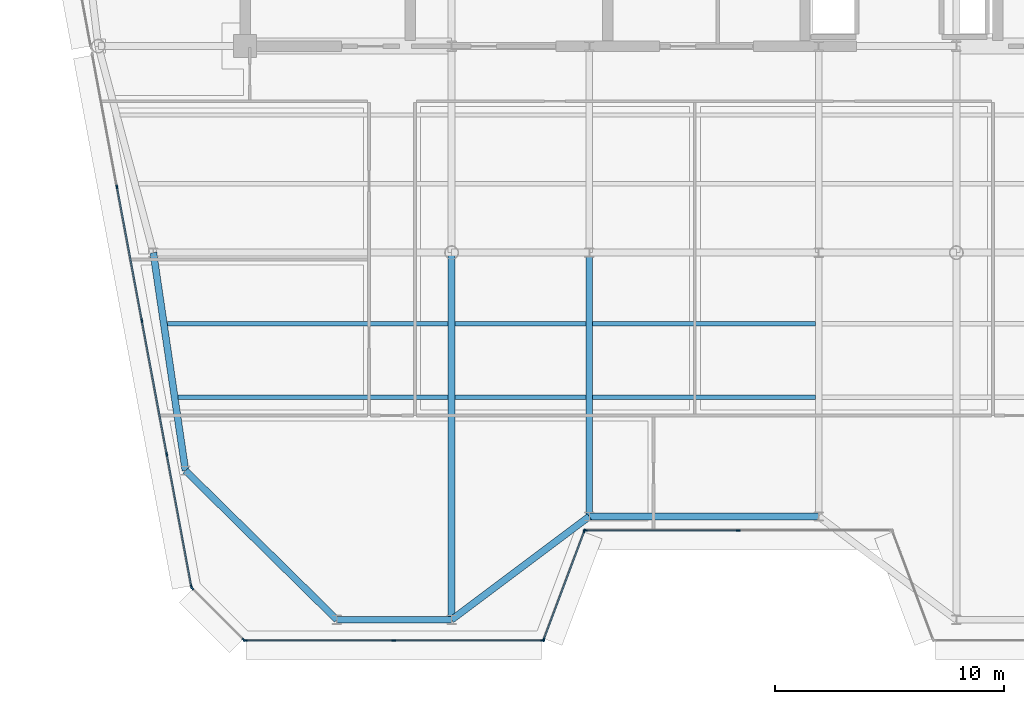
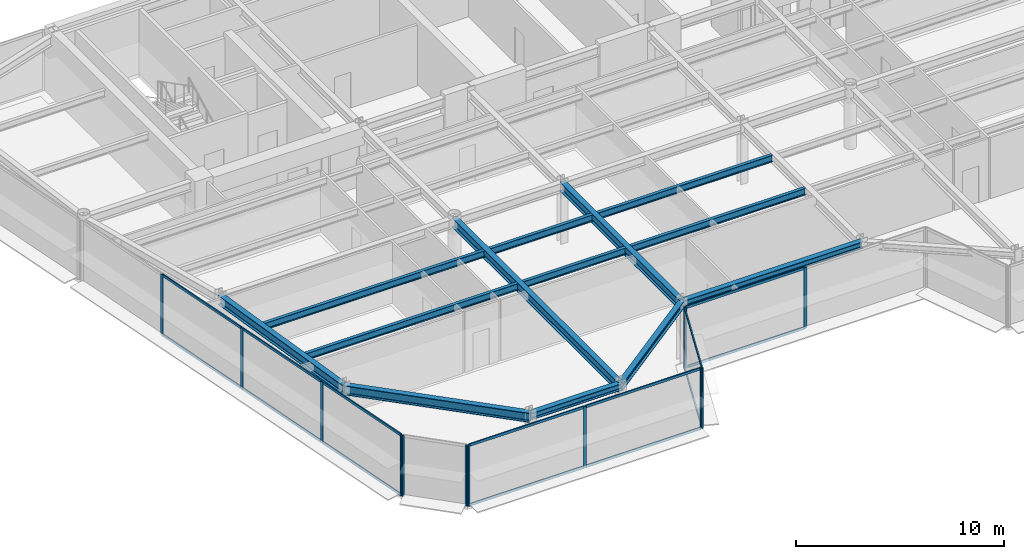
# One storey, part 3 of 19: 27 members, 13 beams, 5 elements without a shape of their own.
"""IFC4 building model written with IfcOpenShell, lengths in metres."""

import ifcopenshell
import ifcopenshell.guid

model = None  # the IFC model being written
_history = None  # IfcOwnerHistory: only IFC2X3 demands one
_inside = {}  # id of a spatial element -> (the spatial element, [elements in it])
_under = {}  # id of a project, library or spatial element -> (it, [spatial elements below it])
_declared = {}  # id of a project -> (the project, [libraries it declares])
_typed = {}  # id of a type object -> (the type object, [elements of that type])
_made_of = {}  # id of a material, layer set ... -> (it, [elements and type objects made of it])


def new_model(schema):
    """Start an empty IFC model of exactly this schema.

    Asked for "IFC4X3", IfcOpenShell would pick the latest addendum, in which some entities
    have other attributes; the version numbers below select the first issue.
    IFC2X3 requires an IfcOwnerHistory on every rooted entity: one is made here for all.
    """
    global model, _history
    if schema == "IFC4X3":
        model = ifcopenshell.file(schema_version=(4, 3, 0, 0))
    else:
        model = ifcopenshell.file(schema=schema)
    _inside.clear()
    _under.clear()
    _declared.clear()
    _typed.clear()
    _made_of.clear()
    _history = None
    if model.schema == "IFC2X3":
        org = make("IfcOrganization", Name="unknown")
        user = make(
            "IfcPersonAndOrganization",
            ThePerson=make("IfcPerson", FamilyName="unknown"),
            TheOrganization=org,
        )
        app = make(
            "IfcApplication",
            ApplicationDeveloper=org,
            Version="unknown",
            ApplicationFullName="unknown",
            ApplicationIdentifier="unknown",
        )
        _history = make(
            "IfcOwnerHistory",
            OwningUser=user,
            OwningApplication=app,
            ChangeAction="ADDED",
            CreationDate=0,
        )
    return model


def make(cls, **values):
    """One entity of the class cls with the attributes given. An attribute that is None is left unset."""
    return model.create_entity(
        cls, **{name: value for name, value in values.items() if value is not None}
    )


def rooted(cls, **values):
    """An entity with a GlobalId (a new one), such as an element, a storey or a relation."""
    return make(cls, GlobalId=ifcopenshell.guid.new(), OwnerHistory=_history, **values)


def si_unit(unit_type, name, prefix=None):
    """IfcSIUnit, for example si_unit("LENGTHUNIT", "METRE", prefix="MILLI")."""
    return make("IfcSIUnit", UnitType=unit_type, Prefix=prefix, Name=name)


def assignment(units):
    """IfcUnitAssignment: the units of a project."""
    return None if units is None else make("IfcUnitAssignment", Units=units)


def point(xyz):
    """IfcCartesianPoint."""
    return None if xyz is None else make("IfcCartesianPoint", Coordinates=xyz)


def direction(xyz):
    """IfcDirection."""
    return None if xyz is None else make("IfcDirection", DirectionRatios=xyz)


def frame(location, z_axis=None, x_axis=None):
    """IfcAxis2Placement3D, a coordinate frame: its origin and axes. An axis left out is left unset."""
    return make(
        "IfcAxis2Placement3D",
        Location=point(location),
        Axis=direction(z_axis),
        RefDirection=direction(x_axis),
    )


def frame_2d(location, x_axis=None):
    """IfcAxis2Placement2D, a coordinate frame in the plane: its origin and x axis."""
    return make(
        "IfcAxis2Placement2D", Location=point(location), RefDirection=direction(x_axis)
    )


def origin():
    """The frame at (0, 0, 0) with its axes left unset."""
    return frame((0.0, 0.0, 0.0))


def origin_2d():
    """The frame at (0, 0) in the plane with its x axis left unset."""
    return frame_2d((0.0, 0.0))


def place(relative_to, where):
    """IfcLocalPlacement: puts the frame where relative to a parent placement (None: the world)."""
    return make(
        "IfcLocalPlacement", PlacementRelTo=relative_to, RelativePlacement=where
    )


def context(
    kind, dimensions, precision=None, world=None, true_north=None, identifier=None
):
    """IfcGeometricRepresentationContext, for example the 3D "Model" context."""
    return make(
        "IfcGeometricRepresentationContext",
        ContextIdentifier=identifier,
        ContextType=kind,
        CoordinateSpaceDimension=dimensions,
        Precision=precision,
        WorldCoordinateSystem=world,
        TrueNorth=true_north,
    )


def subcontext(parent, identifier, kind, view, scale=None):
    """IfcGeometricRepresentationSubContext, for example "Body" below "Model"."""
    return make(
        "IfcGeometricRepresentationSubContext",
        ContextIdentifier=identifier,
        ContextType=kind,
        ParentContext=parent,
        TargetScale=scale,
        TargetView=view,
    )


def project(units=None, contexts=None):
    """IfcProject with its units and contexts."""
    return rooted(
        "IfcProject",
        Name="project",
        RepresentationContexts=contexts,
        UnitsInContext=assignment(units),
    )


def spatial(cls, under=None, at=None, **own):
    """A site, building, storey or space (cls), placed at a placement, below another one or the project."""
    s = rooted(cls, ObjectPlacement=at, **own)
    if under is not None:
        _under.setdefault(under.id(), (under, []))[1].append(s)
    return s


def profile(cls, at=None, kind="AREA", **sizes):
    """A parametric profile (cls). Its sizes go by their IFC names, for example OverallWidth=200.0."""
    return make(cls, ProfileType=kind, Position=at, **sizes)


def rectangle(**sizes):
    """IfcRectangleProfileDef."""
    return profile("IfcRectangleProfileDef", **sizes)


def i_section(**sizes):
    """IfcIShapeProfileDef."""
    return profile("IfcIShapeProfileDef", **sizes)


def extrude(swept, where, along, depth):
    """IfcExtrudedAreaSolid: the profile swept, set in the frame where, extruded along a direction by depth."""
    return make(
        "IfcExtrudedAreaSolid",
        SweptArea=swept,
        Position=where,
        ExtrudedDirection=direction(along),
        Depth=depth,
    )


def shape(context_of_items, identifier, shape_type, items):
    """IfcShapeRepresentation: the items that make up one representation, for example the "Body"."""
    return make(
        "IfcShapeRepresentation",
        ContextOfItems=context_of_items,
        RepresentationIdentifier=identifier,
        RepresentationType=shape_type,
        Items=items,
    )


def source(mapping_origin, context_of_items, identifier, shape_type, items):
    """IfcRepresentationMap: a shape defined once, which mapped items show again and again."""
    return make(
        "IfcRepresentationMap",
        MappingOrigin=mapping_origin,
        MappedRepresentation=shape(context_of_items, identifier, shape_type, items),
    )


def transform(
    local_origin,
    x_axis=None,
    y_axis=None,
    z_axis=None,
    scale=None,
    scale2=None,
    scale3=None,
    uniform=True,
):
    """IfcCartesianTransformationOperator3D, or its non-uniform kind. x_axis, y_axis, z_axis: its Axis1, 2, 3."""
    if uniform:
        return make(
            "IfcCartesianTransformationOperator3D",
            Axis1=direction(x_axis),
            Axis2=direction(y_axis),
            LocalOrigin=point(local_origin),
            Scale=scale,
            Axis3=direction(z_axis),
        )
    return make(
        "IfcCartesianTransformationOperator3DnonUniform",
        Axis1=direction(x_axis),
        Axis2=direction(y_axis),
        LocalOrigin=point(local_origin),
        Scale=scale,
        Axis3=direction(z_axis),
        Scale2=scale2,
        Scale3=scale3,
    )


def mapped(mapping_source, mapping_target):
    """IfcMappedItem: shows the shape of a source again, moved by a transform."""
    return make(
        "IfcMappedItem", MappingSource=mapping_source, MappingTarget=mapping_target
    )


def material(Name=None, Category=None):
    """IfcMaterial."""
    return make("IfcMaterial", Name=Name, Category=Category)


def layer(
    of_material, thickness, ventilated=None, Name=None, Category=None, Priority=None
):
    """IfcMaterialLayer: one layer of a wall or slab, of a material (None: an air gap)."""
    return make(
        "IfcMaterialLayer",
        Material=of_material,
        LayerThickness=thickness,
        IsVentilated=ventilated,
        Name=Name,
        Category=Category,
        Priority=Priority,
    )


def layer_set(layers, Name=None):
    """IfcMaterialLayerSet."""
    return make("IfcMaterialLayerSet", MaterialLayers=layers, LayerSetName=Name)


def material_profile(
    of_material, cross_section, Name=None, Category=None, Priority=None
):
    """IfcMaterialProfile: a cross section and its material."""
    return make(
        "IfcMaterialProfile",
        Name=Name,
        Material=of_material,
        Profile=cross_section,
        Priority=Priority,
        Category=Category,
    )


def profile_set(profiles, Name=None, composite=None):
    """IfcMaterialProfileSet."""
    return make(
        "IfcMaterialProfileSet",
        Name=Name,
        MaterialProfiles=profiles,
        CompositeProfile=composite,
    )


def made_of(thing, what):
    """Note that an element or type object is made of a material, layer set ...; save() writes the relation."""
    if what is not None:
        _made_of.setdefault(what.id(), (what, []))[1].append(thing)
    return thing


def type_object(cls, material=None, **own):
    """A type object (cls), such as IfcWallType, which elements share."""
    return made_of(rooted(cls, **own), material)


def element(
    cls,
    number,
    at=None,
    inside=None,
    cuts=None,
    type_object=None,
    material=None,
    context=None,
    identifier="Body",
    shape_type=None,
    held_by="IfcProductDefinitionShape",
    body=None,
    shapes=None,
    **own,
):
    """One element of the class cls, such as IfcWall. Its Tag is "e" and its number.

    at: its placement. inside: the storey or other place that contains it. cuts: it is an
    opening in that element (IfcRelVoidsElement). A single representation is given by context,
    identifier, shape_type and body (its items); several are given by shapes. held_by: the class
    of the entity that holds the representations. save() writes the other relations.
    """
    e = rooted(cls, Tag="e%d" % number, ObjectPlacement=at, **own)
    if body is not None:
        shapes = [shape(context, identifier, shape_type, body)]
    if shapes is not None:
        e.Representation = make(held_by, Representations=shapes)
    if inside is not None:
        _inside.setdefault(inside.id(), (inside, []))[1].append(e)
    if cuts is not None:
        rooted(
            "IfcRelVoidsElement", RelatingBuildingElement=cuts, RelatedOpeningElement=e
        )
    if type_object is not None:
        _typed.setdefault(type_object.id(), (type_object, []))[1].append(e)
    return made_of(e, material)


def aggregate(whole, parts):
    """IfcRelAggregates: a whole, such as a stair, and the parts it consists of."""
    return rooted("IfcRelAggregates", RelatingObject=whole, RelatedObjects=parts)


def save(model, path):
    """Write the relations noted so far, then the file.

    IfcRelAggregates (storeys below a building ...), IfcRelContainedInSpatialStructure (elements
    in a storey), IfcRelDefinesByType, IfcRelAssociatesMaterial and IfcRelDeclares: one each for
    every whole, place, type object, material and project.
    """
    for whole, parts in _under.values():
        aggregate(whole, parts)
    for where, things in _inside.values():
        rooted(
            "IfcRelContainedInSpatialStructure",
            RelatedElements=things,
            RelatingStructure=where,
        )
    for kind, things in _typed.values():
        rooted("IfcRelDefinesByType", RelatedObjects=things, RelatingType=kind)
    for what, things in _made_of.values():
        rooted("IfcRelAssociatesMaterial", RelatedObjects=things, RelatingMaterial=what)
    for by, libraries in _declared.values():
        rooted("IfcRelDeclares", RelatingContext=by, RelatedDefinitions=libraries)
    model.write(path)


model = new_model("IFC4")

# Units and contexts
model_context = context("Model", 3, precision=1e-05, world=origin(), true_north=direction((0.0, 1.0)))
body_context = subcontext(model_context, "Body", "Model", "MODEL_VIEW")
ifc_project = project(units=[si_unit("LENGTHUNIT", "METRE"), si_unit("AREAUNIT", "SQUARE_METRE"), si_unit("VOLUMEUNIT", "CUBIC_METRE"), si_unit("PLANEANGLEUNIT", "RADIAN"), si_unit("MASSUNIT", "GRAM", prefix="KILO")], contexts=[model_context])

# Site, building, storey
site_placement = place(None, origin())
site = spatial("IfcSite", under=ifc_project, at=site_placement, CompositionType="ELEMENT")
building_placement = place(site_placement, origin())
building = spatial("IfcBuilding", under=site, at=building_placement, Name="Vaeldorn Concourse Tower", CompositionType="ELEMENT")
storey_placement = place(building_placement, frame((0.0, 0.0, 249.800048828125)))
storey = spatial("IfcBuildingStorey", under=building, at=storey_placement, Name="L64", CompositionType="ELEMENT", Elevation=249.800048828125)

# Beams
ifc_material_1 = material(Name="Steel S355", Category="steel")
ifc_material_profile_1 = material_profile(ifc_material_1, i_section(OverallWidth=0.300048828125, OverallDepth=0.39990234375, WebThickness=0.013427734375, FlangeThickness=0.02392578125, FilletRadius=0.027099609375, at=origin_2d()), Name="HEB 400")
ifc_profile_set_1 = profile_set([ifc_material_profile_1], Name="Steel S355")
beam_type_1 = type_object("IfcBeamType", Name="BM-SP-HEB400", PredefinedType="SPANDREL", material=ifc_profile_set_1)
shared_shape_1 = source(origin(), body_context, "Body", "SweptSolid", [
    extrude(i_section(OverallWidth=0.300048828125, OverallDepth=0.39990234375, WebThickness=0.013427734375, FlangeThickness=0.02392578125, FilletRadius=0.027099609375, at=origin_2d()), origin(), (0.0, 0.0, 1.0), 5.0),
])
beam_1_placement = place(storey_placement, frame((18.0, 11.5, 3.3798828125), z_axis=(1.0, 0.0, 0.0), x_axis=(0.0, 1.0, 0.0)))
element("IfcBeam", 1, at=beam_1_placement, inside=storey, type_object=beam_type_1, Name="Beam BM-L64-C-SF1-C-SF2", PredefinedType="SPANDREL", context=body_context, shape_type="MappedRepresentation", body=[
    mapped(shared_shape_1, transform((0.0, 0.0, 0.0), scale=1.0)),
])
shared_shape_2 = source(origin(), body_context, "Body", "SweptSolid", [
    extrude(i_section(OverallWidth=0.300048828125, OverallDepth=0.39990234375, WebThickness=0.013427734375, FlangeThickness=0.02392578125, FilletRadius=0.027099609375, at=origin_2d()), origin(), (0.0, 0.0, 1.0), 7.5),
])
beam_2_placement = place(storey_placement, frame((23.0, 11.5, 3.3798828125), z_axis=(0.8, 0.6, 0.0), x_axis=(-0.6, 0.8, 0.0)))
element("IfcBeam", 2, at=beam_2_placement, inside=storey, type_object=beam_type_1, Name="Beam BM-L64-C-SF2-C-SF3", PredefinedType="SPANDREL", context=body_context, shape_type="MappedRepresentation", body=[
    mapped(shared_shape_2, transform((0.0, 0.0, 0.0), scale=1.0)),
])
shared_shape_3 = source(origin(), body_context, "Body", "SweptSolid", [
    extrude(i_section(OverallWidth=0.300048828125, OverallDepth=0.39990234375, WebThickness=0.013427734375, FlangeThickness=0.02392578125, FilletRadius=0.027099609375, at=origin_2d()), origin(), (0.0, 0.0, 1.0), 10.0),
])
beam_3_placement = place(storey_placement, frame((29.0, 16.0, 3.3798828125), z_axis=(1.0, 0.0, 0.0), x_axis=(0.0, 1.0, 0.0)))
element("IfcBeam", 3, at=beam_3_placement, inside=storey, type_object=beam_type_1, Name="Beam BM-L64-C-SF3-C-SF4", PredefinedType="SPANDREL", context=body_context, shape_type="MappedRepresentation", body=[
    mapped(shared_shape_3, transform((0.0, 0.0, 0.0), scale=1.0)),
])
ifc_material_profile_2 = material_profile(ifc_material_1, i_section(OverallWidth=0.179931640625, OverallDepth=0.39990234375, WebThickness=0.008544921875, FlangeThickness=0.013427734375, FilletRadius=0.02099609375, at=origin_2d()), Name="IPE 400")
ifc_profile_set_2 = profile_set([ifc_material_profile_2], Name="Steel S355")
beam_type_2 = type_object("IfcBeamType", Name="BM-JS-IPE400", PredefinedType="JOIST", material=ifc_profile_set_2)
shared_shape_4 = source(origin(), body_context, "Body", "SweptSolid", [
    extrude(i_section(OverallWidth=0.179931640625, OverallDepth=0.39990234375, WebThickness=0.008544921875, FlangeThickness=0.013427734375, FilletRadius=0.02099609375, at=origin_2d()), origin(), (0.0, 0.0, 1.0), 5.7001953125),
])
for number, where, z_axis, x_axis, name in (
    (4, (23.14990234375, 21.199951171875, 3.3798828125), (1.0, 0.0, 0.0), (0.0, 1.0, 0.0), "Beam JS-L64-W2-212"),
    (5, (23.14990234375, 24.39990234375, 3.3798828125), (1.0, 0.0, 0.0), (0.0, 1.0, 0.0), "Beam JS-L64-W2-244"),
):
    element("IfcBeam", number, at=place(storey_placement, frame(where, z_axis=z_axis, x_axis=x_axis)), inside=storey, type_object=beam_type_2, Name=name, PredefinedType="JOIST", context=body_context, shape_type="MappedRepresentation", body=[
        mapped(shared_shape_4, transform((0.0, 0.0, 0.0), scale=1.0)),
    ])
shared_shape_5 = source(origin(), body_context, "Body", "SweptSolid", [
    extrude(i_section(OverallWidth=0.179931640625, OverallDepth=0.39990234375, WebThickness=0.008544921875, FlangeThickness=0.013427734375, FilletRadius=0.02099609375, at=origin_2d()), origin(), (0.0, 0.0, 1.0), 9.7001953125),
])
for number, where, z_axis, x_axis, name in (
    (6, (29.14990234375, 21.199951171875, 3.3798828125), (1.0, 0.0, 0.0), (0.0, 1.0, 0.0), "Beam JS-L64-C-212"),
    (7, (29.14990234375, 24.39990234375, 3.3798828125), (1.0, 0.0, 0.0), (0.0, 1.0, 0.0), "Beam JS-L64-C-244"),
):
    element("IfcBeam", number, at=place(storey_placement, frame(where, z_axis=z_axis, x_axis=x_axis)), inside=storey, type_object=beam_type_2, Name=name, PredefinedType="JOIST", context=body_context, shape_type="MappedRepresentation", body=[
        mapped(shared_shape_5, transform((0.0, 0.0, 0.0), scale=1.0)),
    ])
shared_shape_6 = source(origin(), body_context, "Body", "SweptSolid", [
    extrude(i_section(OverallWidth=0.179931640625, OverallDepth=0.39990234375, WebThickness=0.008544921875, FlangeThickness=0.013427734375, FilletRadius=0.02099609375, at=origin_2d()), origin(), (0.0, 0.0, 1.0), 11.771728515625),
])
beam_4_placement = place(storey_placement, frame((11.078369140625, 21.199951171875, 3.3798828125), z_axis=(1.0, 0.0, 0.0), x_axis=(0.0, 1.0, 0.0)))
element("IfcBeam", 8, at=beam_4_placement, inside=storey, type_object=beam_type_2, Name="Beam JS-L64-W1-212", PredefinedType="JOIST", context=body_context, shape_type="MappedRepresentation", body=[
    mapped(shared_shape_6, transform((0.0, 0.0, 0.0), scale=1.0)),
])
shared_shape_7 = source(origin(), body_context, "Body", "SweptSolid", [
    extrude(i_section(OverallWidth=0.179931640625, OverallDepth=0.39990234375, WebThickness=0.008544921875, FlangeThickness=0.013427734375, FilletRadius=0.02099609375, at=origin_2d()), origin(), (0.0, 0.0, 1.0), 12.243408203125),
])
beam_5_placement = place(storey_placement, frame((10.606689453125, 24.39990234375, 3.3798828125), z_axis=(1.0, 0.0, 0.0), x_axis=(0.0, 1.0, 0.0)))
element("IfcBeam", 9, at=beam_5_placement, inside=storey, type_object=beam_type_2, Name="Beam JS-L64-W1-244", PredefinedType="JOIST", context=body_context, shape_type="MappedRepresentation", body=[
    mapped(shared_shape_7, transform((0.0, 0.0, 0.0), scale=1.0)),
])
ifc_material_profile_3 = material_profile(ifc_material_1, i_section(OverallWidth=0.300048828125, OverallDepth=0.550048828125, WebThickness=0.014892578125, FlangeThickness=0.029052734375, FilletRadius=0.027099609375, at=origin_2d()), Name="HEB 550")
ifc_profile_set_3 = profile_set([ifc_material_profile_3], Name="Steel S355")
beam_type_3 = type_object("IfcBeamType", Name="BM-PG-HEB550", PredefinedType="BEAM", material=ifc_profile_set_3)
shared_shape_8 = source(origin(), body_context, "Body", "SweptSolid", [
    extrude(i_section(OverallWidth=0.300048828125, OverallDepth=0.550048828125, WebThickness=0.014892578125, FlangeThickness=0.029052734375, FilletRadius=0.027099609375, at=origin_2d()), origin(), (0.0, 0.0, 1.0), 9.6025390625),
])
beam_6_placement = place(storey_placement, frame((10.0, 27.5, 3.304931640625), z_axis=(0.145783835977, -0.989316467652, 0.0), x_axis=(0.989316467652, 0.145783835977, 0.0)))
element("IfcBeam", 10, at=beam_6_placement, inside=storey, type_object=beam_type_3, Name="Beam BM-L64-C-FLW1-C-FLW2", PredefinedType="BEAM", context=body_context, shape_type="MappedRepresentation", body=[
    mapped(shared_shape_8, transform((0.0, 0.0, 0.0), scale=1.0)),
])
shared_shape_9 = source(origin(), body_context, "Body", "SweptSolid", [
    extrude(i_section(OverallWidth=0.300048828125, OverallDepth=0.550048828125, WebThickness=0.014892578125, FlangeThickness=0.029052734375, FilletRadius=0.027099609375, at=origin_2d()), origin(), (0.0, 0.0, 1.0), 9.263427734375),
])
beam_7_placement = place(storey_placement, frame((18.0, 11.5, 3.304931640625), z_axis=(-0.71248897494, 0.701683305053, 0.0), x_axis=(-0.701683305053, -0.71248897494, 0.0)))
element("IfcBeam", 11, at=beam_7_placement, inside=storey, type_object=beam_type_3, Name="Beam BM-L64-C-SF1-C-FLW2", PredefinedType="BEAM", context=body_context, shape_type="MappedRepresentation", body=[
    mapped(shared_shape_9, transform((0.0, 0.0, 0.0), scale=1.0)),
])
shared_shape_10 = source(origin(), body_context, "Body", "SweptSolid", [
    extrude(i_section(OverallWidth=0.300048828125, OverallDepth=0.550048828125, WebThickness=0.014892578125, FlangeThickness=0.029052734375, FilletRadius=0.027099609375, at=origin_2d()), origin(), (0.0, 0.0, 1.0), 16.0),
])
beam_8_placement = place(storey_placement, frame((23.0, 11.5, 3.304931640625), z_axis=(0.0, 1.0, 0.0), x_axis=(-1.0, 0.0, 0.0)))
element("IfcBeam", 12, at=beam_8_placement, inside=storey, type_object=beam_type_3, Name="Beam BM-L64-C-SF2-C-TW1", PredefinedType="BEAM", context=body_context, shape_type="MappedRepresentation", body=[
    mapped(shared_shape_10, transform((0.0, 0.0, 0.0), scale=1.0)),
])
shared_shape_11 = source(origin(), body_context, "Body", "SweptSolid", [
    extrude(i_section(OverallWidth=0.300048828125, OverallDepth=0.550048828125, WebThickness=0.014892578125, FlangeThickness=0.029052734375, FilletRadius=0.027099609375, at=origin_2d()), origin(), (0.0, 0.0, 1.0), 11.5),
])
beam_9_placement = place(storey_placement, frame((29.0, 16.0, 3.304931640625), z_axis=(0.0, 1.0, 0.0), x_axis=(-1.0, 0.0, 0.0)))
element("IfcBeam", 13, at=beam_9_placement, inside=storey, type_object=beam_type_3, Name="Beam BM-L64-C-SF3-C-TW2", PredefinedType="BEAM", context=body_context, shape_type="MappedRepresentation", body=[
    mapped(shared_shape_11, transform((0.0, 0.0, 0.0), scale=1.0)),
])

# Curtain wall, members
ifc_material_2 = material(Name="Anodised Bronze Aluminium", Category="aluminium")
ifc_layer = layer(ifc_material_2, 0.179931640625)
ifc_layer_set = layer_set([ifc_layer], Name="Anodised Bronze Aluminium")
curtain_wall_type = type_object("IfcCurtainWallType", Name="CW-SYS-05", PredefinedType="NOTDEFINED", material=ifc_layer_set)
curtain_wall_1_placement = place(storey_placement, origin())
curtain_wall_1 = element("IfcCurtainWall", 14, at=curtain_wall_1_placement, inside=storey, type_object=curtain_wall_type, Name="Unitised Curtain Wall CW-L64-E01-1", PredefinedType="NOTDEFINED")
ifc_material_profile_4 = material_profile(ifc_material_2, rectangle(XDim=0.06494140625, YDim=0.169921875, at=origin_2d()), Name="CWM 65x170")
ifc_profile_set_4 = profile_set([ifc_material_profile_4], Name="Anodised Bronze Aluminium")
member_type_1 = type_object("IfcMemberType", Name="CWM-BRONZE-170", PredefinedType="MULLION", material=ifc_profile_set_4)
shared_shape_12 = source(origin(), body_context, "Body", "SweptSolid", [
    extrude(rectangle(XDim=0.06494140625, YDim=0.169921875, at=origin_2d()), origin(), (0.0, 0.0, 1.0), 3.579833984375),
])
member_1_placement = place(storey_placement, frame((13.99853515625, 10.60009765625, 0.0), z_axis=(0.0, 0.0, 1.0), x_axis=(0.0, 1.0, 0.0)))
member_1 = element("IfcMember", 15, at=member_1_placement, type_object=member_type_1, Name="CW-05 mullion 1", PredefinedType="MULLION", context=body_context, shape_type="MappedRepresentation", body=[
    mapped(shared_shape_12, transform((0.0, 0.0, 0.0), scale=1.0)),
])
member_2_placement = place(storey_placement, frame((20.48291015625, 10.60009765625, 0.0), z_axis=(0.0, 0.0, 1.0), x_axis=(0.0, 1.0, 0.0)))
member_2 = element("IfcMember", 16, at=member_2_placement, type_object=member_type_1, Name="CW-05 mullion 2", PredefinedType="MULLION", context=body_context, shape_type="MappedRepresentation", body=[
    mapped(shared_shape_12, transform((0.0, 0.0, 0.0), scale=1.0)),
])
member_3_placement = place(storey_placement, frame((26.967529296875, 10.60009765625, 0.0), z_axis=(0.0, 0.0, 1.0), x_axis=(0.0, 1.0, 0.0)))
member_3 = element("IfcMember", 17, at=member_3_placement, type_object=member_type_1, Name="CW-05 mullion 3", PredefinedType="MULLION", context=body_context, shape_type="MappedRepresentation", body=[
    mapped(shared_shape_12, transform((0.0, 0.0, 0.0), scale=1.0)),
])

curtain_wall_2_placement = place(storey_placement, origin())
curtain_wall_2 = element("IfcCurtainWall", 18, at=curtain_wall_2_placement, inside=storey, type_object=curtain_wall_type, Name="Unitised Curtain Wall CW-L64-E02-1", PredefinedType="NOTDEFINED")
member_4_placement = place(storey_placement, frame((27.011474609375, 10.63037109375, 0.0), z_axis=(0.0, 0.0, 1.0), x_axis=(-0.936329177566, 0.351123441595, 0.0)))
member_4 = element("IfcMember", 19, at=member_4_placement, type_object=member_type_1, Name="CW-05 mullion 1", PredefinedType="MULLION", context=body_context, shape_type="MappedRepresentation", body=[
    mapped(shared_shape_12, transform((0.0, 0.0, 0.0), scale=1.0)),
])
member_5_placement = place(storey_placement, frame((28.78857421875, 15.36962890625, 0.0), z_axis=(0.0, 0.0, 1.0), x_axis=(-0.936329177566, 0.351123441595, 0.0)))
member_5 = element("IfcMember", 20, at=member_5_placement, type_object=member_type_1, Name="CW-05 mullion 2", PredefinedType="MULLION", context=body_context, shape_type="MappedRepresentation", body=[
    mapped(shared_shape_12, transform((0.0, 0.0, 0.0), scale=1.0)),
])

curtain_wall_3_placement = place(storey_placement, origin())
curtain_wall_3 = element("IfcCurtainWall", 21, at=curtain_wall_3_placement, inside=storey, type_object=curtain_wall_type, Name="Unitised Curtain Wall CW-L64-E03-1", PredefinedType="NOTDEFINED")
member_6_placement = place(storey_placement, frame((28.83251953125, 15.39990234375, 0.0), z_axis=(0.0, 0.0, 1.0), x_axis=(0.0, 1.0, 0.0)))
member_6 = element("IfcMember", 22, at=member_6_placement, type_object=member_type_1, Name="CW-05 mullion 1", PredefinedType="MULLION", context=body_context, shape_type="MappedRepresentation", body=[
    mapped(shared_shape_12, transform((0.0, 0.0, 0.0), scale=1.0)),
])
member_7_placement = place(storey_placement, frame((35.5, 15.39990234375, 0.0), z_axis=(0.0, 0.0, 1.0), x_axis=(0.0, 1.0, 0.0)))
member_7 = element("IfcMember", 23, at=member_7_placement, type_object=member_type_1, Name="CW-05 mullion 2", PredefinedType="MULLION", context=body_context, shape_type="MappedRepresentation", body=[
    mapped(shared_shape_12, transform((0.0, 0.0, 0.0), scale=1.0)),
])

curtain_wall_4_placement = place(storey_placement, origin())
curtain_wall_4 = element("IfcCurtainWall", 24, at=curtain_wall_4_placement, inside=storey, type_object=curtain_wall_type, Name="Unitised Curtain Wall CW-L64-E11-2", PredefinedType="NOTDEFINED")
member_8_placement = place(storey_placement, frame((8.414306640625, 30.36376953125, 0.0), z_axis=(0.0, 0.0, 1.0), x_axis=(0.983102653673, 0.18305510739, 0.0)))
member_8 = element("IfcMember", 25, at=member_8_placement, type_object=member_type_1, Name="CW-05 mullion 2", PredefinedType="MULLION", context=body_context, shape_type="MappedRepresentation", body=[
    mapped(shared_shape_12, transform((0.0, 0.0, 0.0), scale=1.0)),
])
member_9_placement = place(storey_placement, frame((9.498046875, 24.54248046875, 0.0), z_axis=(0.0, 0.0, 1.0), x_axis=(0.983102653673, 0.18305510739, 0.0)))
member_9 = element("IfcMember", 26, at=member_9_placement, type_object=member_type_1, Name="CW-05 mullion 3", PredefinedType="MULLION", context=body_context, shape_type="MappedRepresentation", body=[
    mapped(shared_shape_12, transform((0.0, 0.0, 0.0), scale=1.0)),
])
member_10_placement = place(storey_placement, frame((10.58203125, 18.72119140625, 0.0), z_axis=(0.0, 0.0, 1.0), x_axis=(0.983102653673, 0.18305510739, 0.0)))
member_10 = element("IfcMember", 27, at=member_10_placement, type_object=member_type_1, Name="CW-05 mullion 4", PredefinedType="MULLION", context=body_context, shape_type="MappedRepresentation", body=[
    mapped(shared_shape_12, transform((0.0, 0.0, 0.0), scale=1.0)),
])
member_11_placement = place(storey_placement, frame((11.66015625, 12.931884765625, 0.0), z_axis=(0.0, 0.0, 1.0), x_axis=(0.983102653673, 0.18305510739, 0.0)))
member_11 = element("IfcMember", 28, at=member_11_placement, type_object=member_type_1, Name="CW-05 mullion 5", PredefinedType="MULLION", context=body_context, shape_type="MappedRepresentation", body=[
    mapped(shared_shape_12, transform((0.0, 0.0, 0.0), scale=1.0)),
])

curtain_wall_5_placement = place(storey_placement, origin())
curtain_wall_5 = element("IfcCurtainWall", 29, at=curtain_wall_5_placement, inside=storey, type_object=curtain_wall_type, Name="Unitised Curtain Wall CW-L64-E12-1", PredefinedType="NOTDEFINED")
member_12_placement = place(storey_placement, frame((11.68896484375, 12.876953125, 0.0), z_axis=(0.0, 0.0, 1.0), x_axis=(0.707106781187, 0.707106781187, 0.0)))
member_12 = element("IfcMember", 30, at=member_12_placement, type_object=member_type_1, Name="CW-05 mullion 1", PredefinedType="MULLION", context=body_context, shape_type="MappedRepresentation", body=[
    mapped(shared_shape_12, transform((0.0, 0.0, 0.0), scale=1.0)),
])
member_13_placement = place(storey_placement, frame((13.943115234375, 10.623046875, 0.0), z_axis=(0.0, 0.0, 1.0), x_axis=(0.707106781187, 0.707106781187, 0.0)))
member_13 = element("IfcMember", 31, at=member_13_placement, type_object=member_type_1, Name="CW-05 mullion 2", PredefinedType="MULLION", context=body_context, shape_type="MappedRepresentation", body=[
    mapped(shared_shape_12, transform((0.0, 0.0, 0.0), scale=1.0)),
])
aggregate(curtain_wall_5, [member_12, member_13])

# Member
ifc_material_profile_5 = material_profile(ifc_material_2, rectangle(XDim=0.06494140625, YDim=0.14990234375, at=origin_2d()), Name="CWT 65x150")
ifc_profile_set_5 = profile_set([ifc_material_profile_5], Name="Anodised Bronze Aluminium")
member_type_2 = type_object("IfcMemberType", Name="CWT-BRONZE-150", PredefinedType="USERDEFINED", material=ifc_profile_set_5)
shared_shape_13 = source(origin(), body_context, "Body", "SweptSolid", [
    extrude(rectangle(XDim=0.06494140625, YDim=0.14990234375, at=origin_2d()), origin(), (0.0, 0.0, 1.0), 4.996337890625),
])
member_14_placement = place(storey_placement, frame((27.022705078125, 10.660888671875, 0.032470703125), z_axis=(0.351134151405, 0.936325161318, 0.0), x_axis=(-0.936325161318, 0.351134151405, 0.0)))
member_14 = element("IfcMember", 32, at=member_14_placement, type_object=member_type_2, Name="CW-05 transom 1.1", ObjectType="TRANSOM", PredefinedType="USERDEFINED", context=body_context, shape_type="MappedRepresentation", body=[
    mapped(shared_shape_13, transform((0.0, 0.0, 0.0), scale=1.0)),
])

member_15_placement = place(storey_placement, frame((27.022705078125, 10.660888671875, 3.54736328125), z_axis=(0.351134151405, 0.936325161318, 0.0), x_axis=(-0.936325161318, 0.351134151405, 0.0)))
member_15 = element("IfcMember", 33, at=member_15_placement, type_object=member_type_2, Name="CW-05 transom 1.2", ObjectType="TRANSOM", PredefinedType="USERDEFINED", context=body_context, shape_type="MappedRepresentation", body=[
    mapped(shared_shape_13, transform((0.0, 0.0, 0.0), scale=1.0)),
])

aggregate(curtain_wall_2, [member_4, member_5, member_14, member_15])

shared_shape_14 = source(origin(), body_context, "Body", "SweptSolid", [
    extrude(rectangle(XDim=0.06494140625, YDim=0.14990234375, at=origin_2d()), origin(), (0.0, 0.0, 1.0), 6.6025390625),
])
member_16_placement = place(storey_placement, frame((28.864990234375, 15.39990234375, 0.032470703125), z_axis=(1.0, 0.0, 0.0), x_axis=(0.0, 1.0, 0.0)))
member_16 = element("IfcMember", 34, at=member_16_placement, type_object=member_type_2, Name="CW-05 transom 1.1", ObjectType="TRANSOM", PredefinedType="USERDEFINED", context=body_context, shape_type="MappedRepresentation", body=[
    mapped(shared_shape_14, transform((0.0, 0.0, 0.0), scale=1.0)),
])

member_17_placement = place(storey_placement, frame((28.864990234375, 15.39990234375, 3.54736328125), z_axis=(1.0, 0.0, 0.0), x_axis=(0.0, 1.0, 0.0)))
member_17 = element("IfcMember", 35, at=member_17_placement, type_object=member_type_2, Name="CW-05 transom 1.2", ObjectType="TRANSOM", PredefinedType="USERDEFINED", context=body_context, shape_type="MappedRepresentation", body=[
    mapped(shared_shape_14, transform((0.0, 0.0, 0.0), scale=1.0)),
])

aggregate(curtain_wall_3, [member_6, member_7, member_16, member_17])

shared_shape_15 = source(origin(), body_context, "Body", "SweptSolid", [
    extrude(rectangle(XDim=0.06494140625, YDim=0.14990234375, at=origin_2d()), origin(), (0.0, 0.0, 1.0), 5.82373046875),
])
member_18_placement = place(storey_placement, frame((10.588134765625, 18.689208984375, 0.032470703125), z_axis=(0.183030414843, -0.983107251139, 0.0), x_axis=(0.983107251139, 0.183030414843, 0.0)))
member_18 = element("IfcMember", 36, at=member_18_placement, type_object=member_type_2, Name="CW-05 transom 4.1", ObjectType="TRANSOM", PredefinedType="USERDEFINED", context=body_context, shape_type="MappedRepresentation", body=[
    mapped(shared_shape_15, transform((0.0, 0.0, 0.0), scale=1.0)),
])

member_19_placement = place(storey_placement, frame((10.588134765625, 18.689208984375, 3.54736328125), z_axis=(0.183030414843, -0.983107251139, 0.0), x_axis=(0.983107251139, 0.183030414843, 0.0)))
member_19 = element("IfcMember", 37, at=member_19_placement, type_object=member_type_2, Name="CW-05 transom 4.2", ObjectType="TRANSOM", PredefinedType="USERDEFINED", context=body_context, shape_type="MappedRepresentation", body=[
    mapped(shared_shape_15, transform((0.0, 0.0, 0.0), scale=1.0)),
])

shared_shape_16 = source(origin(), body_context, "Body", "SweptSolid", [
    extrude(rectangle(XDim=0.06494140625, YDim=0.14990234375, at=origin_2d()), origin(), (0.0, 0.0, 1.0), 5.856201171875),
])
member_20_placement = place(storey_placement, frame((8.420166015625, 30.331787109375, 0.032470703125), z_axis=(0.18305503402, -0.983102667334, 0.0), x_axis=(0.983102667334, 0.18305503402, 0.0)))
member_20 = element("IfcMember", 38, at=member_20_placement, type_object=member_type_2, Name="CW-05 transom 2.1", ObjectType="TRANSOM", PredefinedType="USERDEFINED", context=body_context, shape_type="MappedRepresentation", body=[
    mapped(shared_shape_16, transform((0.0, 0.0, 0.0), scale=1.0)),
])

member_21_placement = place(storey_placement, frame((8.420166015625, 30.331787109375, 3.54736328125), z_axis=(0.18305503402, -0.983102667334, 0.0), x_axis=(0.983102667334, 0.18305503402, 0.0)))
member_21 = element("IfcMember", 39, at=member_21_placement, type_object=member_type_2, Name="CW-05 transom 2.2", ObjectType="TRANSOM", PredefinedType="USERDEFINED", context=body_context, shape_type="MappedRepresentation", body=[
    mapped(shared_shape_16, transform((0.0, 0.0, 0.0), scale=1.0)),
])

member_22_placement = place(storey_placement, frame((9.504150390625, 24.510498046875, 0.032470703125), z_axis=(0.18305503402, -0.983102667334, 0.0), x_axis=(0.983102667334, 0.18305503402, 0.0)))
member_22 = element("IfcMember", 40, at=member_22_placement, type_object=member_type_2, Name="CW-05 transom 3.1", ObjectType="TRANSOM", PredefinedType="USERDEFINED", context=body_context, shape_type="MappedRepresentation", body=[
    mapped(shared_shape_16, transform((0.0, 0.0, 0.0), scale=1.0)),
])

member_23_placement = place(storey_placement, frame((9.504150390625, 24.510498046875, 3.54736328125), z_axis=(0.18305503402, -0.983102667334, 0.0), x_axis=(0.983102667334, 0.18305503402, 0.0)))
member_23 = element("IfcMember", 41, at=member_23_placement, type_object=member_type_2, Name="CW-05 transom 3.2", ObjectType="TRANSOM", PredefinedType="USERDEFINED", context=body_context, shape_type="MappedRepresentation", body=[
    mapped(shared_shape_16, transform((0.0, 0.0, 0.0), scale=1.0)),
])

aggregate(curtain_wall_4, [member_8, member_9, member_10, member_11, member_20, member_21, member_22, member_23, member_18, member_19])

shared_shape_17 = source(origin(), body_context, "Body", "SweptSolid", [
    extrude(rectangle(XDim=0.06494140625, YDim=0.14990234375, at=origin_2d()), origin(), (0.0, 0.0, 1.0), 6.41943359375),
])
member_24_placement = place(storey_placement, frame((14.031005859375, 10.60009765625, 0.032470703125), z_axis=(1.0, 0.0, 0.0), x_axis=(0.0, 1.0, 0.0)))
member_24 = element("IfcMember", 42, at=member_24_placement, type_object=member_type_2, Name="CW-05 transom 1.1", ObjectType="TRANSOM", PredefinedType="USERDEFINED", context=body_context, shape_type="MappedRepresentation", body=[
    mapped(shared_shape_17, transform((0.0, 0.0, 0.0), scale=1.0)),
])

member_25_placement = place(storey_placement, frame((14.031005859375, 10.60009765625, 3.54736328125), z_axis=(1.0, 0.0, 0.0), x_axis=(0.0, 1.0, 0.0)))
member_25 = element("IfcMember", 43, at=member_25_placement, type_object=member_type_2, Name="CW-05 transom 1.2", ObjectType="TRANSOM", PredefinedType="USERDEFINED", context=body_context, shape_type="MappedRepresentation", body=[
    mapped(shared_shape_17, transform((0.0, 0.0, 0.0), scale=1.0)),
])

shared_shape_18 = source(origin(), body_context, "Body", "SweptSolid", [
    extrude(rectangle(XDim=0.06494140625, YDim=0.14990234375, at=origin_2d()), origin(), (0.0, 0.0, 1.0), 6.419677734375),
])
member_26_placement = place(storey_placement, frame((20.515380859375, 10.60009765625, 0.032470703125), z_axis=(1.0, 0.0, 0.0), x_axis=(0.0, 1.0, 0.0)))
member_26 = element("IfcMember", 44, at=member_26_placement, type_object=member_type_2, Name="CW-05 transom 2.1", ObjectType="TRANSOM", PredefinedType="USERDEFINED", context=body_context, shape_type="MappedRepresentation", body=[
    mapped(shared_shape_18, transform((0.0, 0.0, 0.0), scale=1.0)),
])

member_27_placement = place(storey_placement, frame((20.515380859375, 10.60009765625, 3.54736328125), z_axis=(1.0, 0.0, 0.0), x_axis=(0.0, 1.0, 0.0)))
member_27 = element("IfcMember", 45, at=member_27_placement, type_object=member_type_2, Name="CW-05 transom 2.2", ObjectType="TRANSOM", PredefinedType="USERDEFINED", context=body_context, shape_type="MappedRepresentation", body=[
    mapped(shared_shape_18, transform((0.0, 0.0, 0.0), scale=1.0)),
])

aggregate(curtain_wall_1, [member_1, member_2, member_3, member_24, member_25, member_26, member_27])

save(model, "model.ifc")
